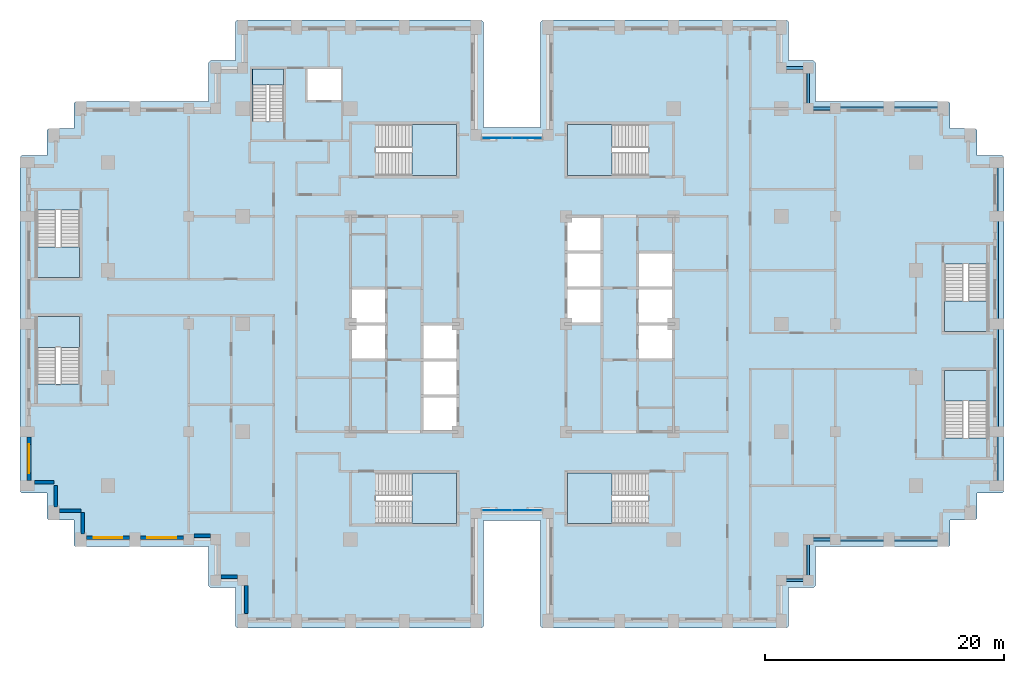
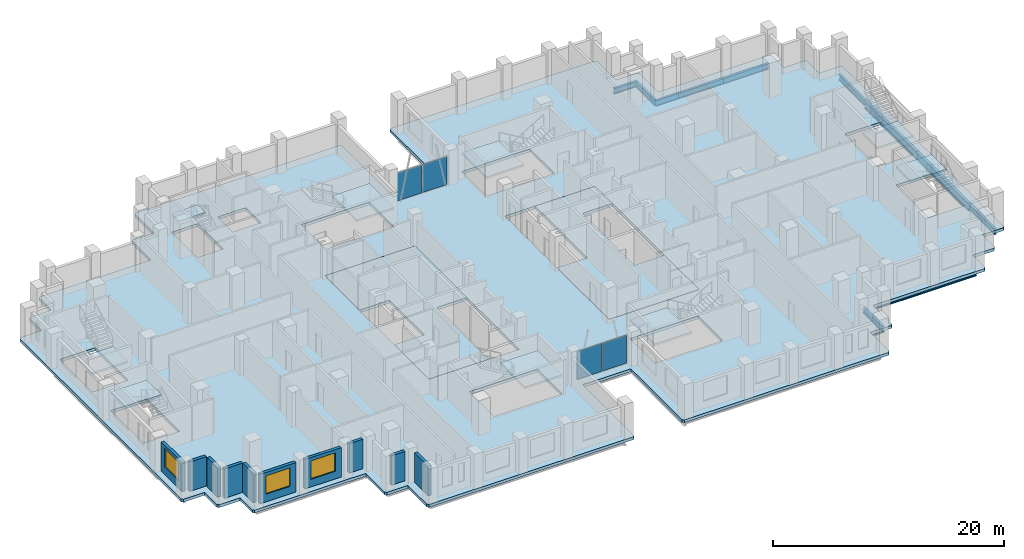
# One storey, part 5 of 16: 14 beams, 12 slabs, 10 walls, 4 plates, 3 windows, 3 openings, 11 elements without a shape of their own.
"""IFC4 building model written with IfcOpenShell, lengths in metres."""

from ifc_helpers import new_model, si_unit, direction, frame, frame_2d, origin, origin_2d, place, context, subcontext, project, spatial, polyline, rectangle, i_section, outline, extrude, material, layer, layer_set, material_profile, profile_set, type_object, element, fill, aggregate, save


model = new_model("IFC4")

# Units and contexts
model_context = context("Model", 3, precision=1e-05, world=origin(), true_north=direction((0.0, 1.0)))
body_context = subcontext(model_context, "Body", "Model", "MODEL_VIEW")
ifc_project = project(units=[si_unit("LENGTHUNIT", "METRE"), si_unit("AREAUNIT", "SQUARE_METRE"), si_unit("VOLUMEUNIT", "CUBIC_METRE"), si_unit("PLANEANGLEUNIT", "RADIAN"), si_unit("MASSUNIT", "GRAM", prefix="KILO")], contexts=[model_context])

# Site, building, storey
site_placement = place(None, origin())
site = spatial("IfcSite", under=ifc_project, at=site_placement, CompositionType="ELEMENT")
building_placement = place(site_placement, origin())
building = spatial("IfcBuilding", under=site, at=building_placement, Name="Corbelhall Arena Tower", CompositionType="ELEMENT")
storey_placement = place(building_placement, frame((0.0, 0.0, 112.0)))
storey = spatial("IfcBuildingStorey", under=building, at=storey_placement, Name="L20", CompositionType="ELEMENT", Elevation=112.0)

# Beams
ifc_material_1 = material(Name="Steel ASTM A992 Gr50", Category="steel")
ifc_material_profile_1 = material_profile(ifc_material_1, i_section(OverallWidth=0.23046875, OverallDepth=0.6171875, WebThickness=0.01318359375, FlangeThickness=0.022216796875, at=origin_2d()))
ifc_profile_set_1 = profile_set([ifc_material_profile_1], Name="Steel ASTM A992 Gr50")
beam_type_1 = type_object("IfcBeamType", Name="ST-SPANDREL-W24x94", PredefinedType="SPANDREL", material=ifc_profile_set_1)
for number, where, z_axis, x_axis, name in (
    (1, (40.5, 13.5, -0.608642578125), (0.0, -1.0, 0.0), (1.0, 0.0, 0.0), "Beam SP 10"),
    (2, (40.5, -9.0, -0.608642578125), (0.0, -1.0, 0.0), (1.0, 0.0, 0.0), "Beam SP 11"),
    (3, (31.5, 18.0, -0.608642578125), (1.0, 0.0, 0.0), (0.0, 1.0, 0.0), "Beam SP 12"),
    (4, (31.5, -18.0, -0.608642578125), (-1.0, 0.0, 0.0), (0.0, -1.0, 0.0), "Beam SP 13"),
    (5, (36.0, -18.0, -0.608642578125), (-1.0, 0.0, 0.0), (0.0, -1.0, 0.0), "Beam SP 14"),
    (6, (27.0, 18.0, -0.608642578125), (1.0, 0.0, 0.0), (0.0, 1.0, 0.0), "Beam SP 15"),
):
    element("IfcBeam", number, at=place(storey_placement, frame(where, z_axis=z_axis, x_axis=x_axis)), inside=storey, type_object=beam_type_1, Name=name, PredefinedType="SPANDREL", context=body_context, shape_type="SweptSolid", body=[
        extrude(i_section(OverallWidth=0.23046875, OverallDepth=0.6171875, WebThickness=0.01318359375, FlangeThickness=0.022216796875, at=origin_2d()), origin(), (0.0, 0.0, 1.0), 4.5),
    ])
for number, where, z_axis, x_axis, name in (
    (7, (27.0, -18.0, -0.608642578125), (-1.0, 0.0, 0.0), (0.0, -1.0, 0.0), "Beam SP 16"),
    (8, (22.5, 21.39990234375, -0.608642578125), (1.0, 0.0, 0.0), (0.0, 1.0, 0.0), "Beam SP 43"),
):
    element("IfcBeam", number, at=place(storey_placement, frame(where, z_axis=z_axis, x_axis=x_axis)), inside=storey, type_object=beam_type_1, Name=name, PredefinedType="SPANDREL", context=body_context, shape_type="SweptSolid", body=[
        extrude(i_section(OverallWidth=0.23046875, OverallDepth=0.6171875, WebThickness=0.01318359375, FlangeThickness=0.022216796875, at=origin_2d()), origin(), (0.0, 0.0, 1.0), 2.25),
    ])
beam_1_placement = place(storey_placement, frame((24.75, 21.39990234375, -0.608642578125), z_axis=(0.0, -1.0, 0.0), x_axis=(1.0, 0.0, 0.0)))
element("IfcBeam", 9, at=beam_1_placement, inside=storey, type_object=beam_type_1, Name="Beam SP 44", PredefinedType="SPANDREL", context=body_context, shape_type="SweptSolid", body=[
    extrude(i_section(OverallWidth=0.23046875, OverallDepth=0.6171875, WebThickness=0.01318359375, FlangeThickness=0.022216796875, at=origin_2d()), origin(), (0.0, 0.0, 1.0), 3.39990234375),
])
for number, where, z_axis, x_axis, name in (
    (10, (24.75, 18.0, -0.608642578125), (1.0, 0.0, 0.0), (0.0, 1.0, 0.0), "Beam SP 45"),
    (11, (24.75, -21.39990234375, -0.608642578125), (-1.0, 0.0, 0.0), (0.0, -1.0, 0.0), "Beam SP 50"),
):
    element("IfcBeam", number, at=place(storey_placement, frame(where, z_axis=z_axis, x_axis=x_axis)), inside=storey, type_object=beam_type_1, Name=name, PredefinedType="SPANDREL", context=body_context, shape_type="SweptSolid", body=[
        extrude(i_section(OverallWidth=0.23046875, OverallDepth=0.6171875, WebThickness=0.01318359375, FlangeThickness=0.022216796875, at=origin_2d()), origin(), (0.0, 0.0, 1.0), 2.25),
    ])
beam_2_placement = place(storey_placement, frame((24.75, -18.0, -0.608642578125), z_axis=(0.0, -1.0, 0.0), x_axis=(1.0, 0.0, 0.0)))
element("IfcBeam", 12, at=beam_2_placement, inside=storey, type_object=beam_type_1, Name="Beam SP 51", PredefinedType="SPANDREL", context=body_context, shape_type="SweptSolid", body=[
    extrude(i_section(OverallWidth=0.23046875, OverallDepth=0.6171875, WebThickness=0.01318359375, FlangeThickness=0.022216796875, at=origin_2d()), origin(), (0.0, 0.0, 1.0), 3.39990234375),
])
ifc_material_profile_2 = material_profile(ifc_material_1, i_section(OverallWidth=0.2919921875, OverallDepth=0.845703125, WebThickness=0.015380859375, FlangeThickness=0.0244140625, at=origin_2d()))
ifc_profile_set_2 = profile_set([ifc_material_profile_2], Name="Steel ASTM A992 Gr50")
beam_type_2 = type_object("IfcBeamType", Name="ST-SPANDREL-W33x141", PredefinedType="SPANDREL", material=ifc_profile_set_2)
for number, where, z_axis, x_axis, name in (
    (13, (40.5, 0.0, -0.722900390625), (0.0, -1.0, 0.0), (1.0, 0.0, 0.0), "Beam SP 8"),
    (14, (40.5, 9.0, -0.722900390625), (0.0, -1.0, 0.0), (1.0, 0.0, 0.0), "Beam SP 9"),
):
    element("IfcBeam", number, at=place(storey_placement, frame(where, z_axis=z_axis, x_axis=x_axis)), inside=storey, type_object=beam_type_2, Name=name, PredefinedType="SPANDREL", context=body_context, shape_type="SweptSolid", body=[
        extrude(i_section(OverallWidth=0.2919921875, OverallDepth=0.845703125, WebThickness=0.015380859375, FlangeThickness=0.0244140625, at=origin_2d()), origin(), (0.0, 0.0, 1.0), 9.0),
    ])

# Curtain wall, plates
ifc_material_2 = material(Name="Aluminium black anodised", Category="aluminium")
ifc_layer_1 = layer(ifc_material_2, 0.199951171875)
ifc_layer_set_1 = layer_set([ifc_layer_1], Name="EV-CW1 Slot back wall")
curtain_wall_type = type_object("IfcCurtainWallType", Name="EV-CW1 Slot back wall", PredefinedType="NOTDEFINED", material=ifc_layer_set_1)
curtain_wall_1_placement = place(storey_placement, origin())
curtain_wall_1 = element("IfcCurtainWall", 15, at=curtain_wall_1_placement, inside=storey, type_object=curtain_wall_type, Name="Curtain wall CW1", PredefinedType="NOTDEFINED")
ifc_material_3 = material(Name="Glass dark tinted laminated", Category="glass")
ifc_layer_2 = layer(ifc_material_3, 0.028076171875)
ifc_layer_set_2 = layer_set([ifc_layer_2], Name="EV-CW1-PANEL")
plate_type = type_object("IfcPlateType", Name="EV-CW1-PANEL", PredefinedType="CURTAIN_PANEL", material=ifc_layer_set_2)
plate_1_placement = place(storey_placement, frame((-1.25634765625, -15.550048828125, 0.0751953125), z_axis=(0.0, 0.0, 1.0), x_axis=(1.0, 0.0, 0.0)))
plate_1 = element("IfcPlate", 16, at=plate_1_placement, type_object=plate_type, Name="CW1 panel 1.1", PredefinedType="CURTAIN_PANEL", context=body_context, shape_type="SweptSolid", body=[
    extrude(rectangle(XDim=2.4375, YDim=0.028076171875, at=origin_2d()), origin(), (0.0, 0.0, 1.0), 2.949951171875),
])
plate_2_placement = place(storey_placement, frame((1.25634765625, -15.550048828125, 0.0751953125), z_axis=(0.0, 0.0, 1.0), x_axis=(1.0, 0.0, 0.0)))
plate_2 = element("IfcPlate", 17, at=plate_2_placement, type_object=plate_type, Name="CW1 panel 2.1", PredefinedType="CURTAIN_PANEL", context=body_context, shape_type="SweptSolid", body=[
    extrude(rectangle(XDim=2.4375, YDim=0.028076171875, at=origin_2d()), origin(), (0.0, 0.0, 1.0), 2.949951171875),
])
aggregate(curtain_wall_1, [plate_1, plate_2])

curtain_wall_2_placement = place(storey_placement, origin())
curtain_wall_2 = element("IfcCurtainWall", 18, at=curtain_wall_2_placement, inside=storey, type_object=curtain_wall_type, Name="Curtain wall CW1", PredefinedType="NOTDEFINED")
plate_3_placement = place(storey_placement, frame((1.25634765625, 15.550048828125, 0.0751953125), z_axis=(0.0, 0.0, 1.0), x_axis=(-1.0, 0.0, 0.0)))
plate_3 = element("IfcPlate", 19, at=plate_3_placement, type_object=plate_type, Name="CW1 panel 1.1", PredefinedType="CURTAIN_PANEL", context=body_context, shape_type="SweptSolid", body=[
    extrude(rectangle(XDim=2.4375, YDim=0.028076171875, at=origin_2d()), origin(), (0.0, 0.0, 1.0), 2.949951171875),
])
plate_4_placement = place(storey_placement, frame((-1.25634765625, 15.550048828125, 0.0751953125), z_axis=(0.0, 0.0, 1.0), x_axis=(-1.0, 0.0, 0.0)))
plate_4 = element("IfcPlate", 20, at=plate_4_placement, type_object=plate_type, Name="CW1 panel 2.1", PredefinedType="CURTAIN_PANEL", context=body_context, shape_type="SweptSolid", body=[
    extrude(rectangle(XDim=2.4375, YDim=0.028076171875, at=origin_2d()), origin(), (0.0, 0.0, 1.0), 2.949951171875),
])
aggregate(curtain_wall_2, [plate_3, plate_4])

# Slabs
ifc_material_4 = material(Name="Concrete C40/50", Category="concrete")
ifc_layer_3 = layer(ifc_material_4, 0.300048828125)
ifc_layer_set_3 = layer_set([ifc_layer_3], Name="IN-SL-CORE")
slab_type_1 = type_object("IfcSlabType", Name="IN-SL-CORE", PredefinedType="FLOOR", material=ifc_layer_set_3)
slab_1_placement = place(storey_placement, frame((0.0, 0.0, -0.300048828125)))
element("IfcSlab", 21, at=slab_1_placement, inside=storey, type_object=slab_type_1, Name="Core floor W", PredefinedType="FLOOR", context=body_context, shape_type="SweptSolid", body=[
    extrude(outline(polyline([(-7.5, 0.0), (-4.5, 0.0), (-4.5, 9.0), (-13.5, 9.0), (-13.5, 3.0), (-10.5, 3.0), (-10.5, 0.0), (-10.5, -3.0), (-13.5, -3.0), (-13.5, -9.0), (-7.5, -9.0), (-7.5, -6.0), (-7.5, -3.0), (-7.5, 0.0)])), origin(), (0.0, 0.0, 1.0), 0.300048828125),
])
slab_2_placement = place(storey_placement, frame((0.0, 0.0, -0.300048828125)))
element("IfcSlab", 22, at=slab_2_placement, inside=storey, type_object=slab_type_1, Name="Core floor E", PredefinedType="FLOOR", context=body_context, shape_type="SweptSolid", body=[
    extrude(outline(polyline([(7.5, 0.0), (4.5, 0.0), (4.5, -9.0), (13.5, -9.0), (13.5, -3.0), (10.5, -3.0), (10.5, 0.0), (10.5, 3.0), (10.5, 6.0), (13.5, 6.0), (13.5, 9.0), (7.5, 9.0), (7.5, 6.0), (7.5, 3.0), (7.5, 0.0)])), origin(), (0.0, 0.0, 1.0), 0.300048828125),
])

# Stair, slab
stair_type = type_object("IfcStairType", Name="IN-ST-TOWER", PredefinedType="HALF_TURN_STAIR", material=ifc_material_4)
stair_1_placement = place(storey_placement, origin())
stair_1 = element("IfcStair", 23, at=stair_1_placement, inside=storey, type_object=stair_type, Name="L20 Exit stair ST1", PredefinedType="HALF_TURN_STAIR")
ifc_layer_4 = layer(ifc_material_4, 0.199951171875)
ifc_layer_set_4 = layer_set([ifc_layer_4], Name="IN-SL-LANDING")
slab_type_2 = type_object("IfcSlabType", Name="IN-SL-LANDING", PredefinedType="LANDING", material=ifc_layer_set_4)
slab_3_placement = place(storey_placement, frame((0.0, 0.0, 1.800048828125)))
slab_3 = element("IfcSlab", 24, at=slab_3_placement, type_object=slab_type_2, Name="ST1 landing 1", PredefinedType="LANDING", context=body_context, shape_type="SweptSolid", body=[
    extrude(outline(polyline([(-8.344970703125, 12.425048828125), (-4.625, 12.425048828125), (-4.625, 16.675048828125), (-8.344970703125, 16.675048828125), (-8.344970703125, 12.425048828125)])), origin(), (0.0, 0.0, 1.0), 0.199951171875),
])
aggregate(stair_1, [slab_3])

stair_2_placement = place(storey_placement, origin())
stair_2 = element("IfcStair", 25, at=stair_2_placement, inside=storey, type_object=stair_type, Name="L20 Exit stair ST2", PredefinedType="HALF_TURN_STAIR")
slab_4_placement = place(storey_placement, frame((0.0, 0.0, 1.800048828125)))
slab_4 = element("IfcSlab", 26, at=slab_4_placement, type_object=slab_type_2, Name="ST2 landing 1", PredefinedType="LANDING", context=body_context, shape_type="SweptSolid", body=[
    extrude(outline(polyline([(-8.344970703125, -16.675048828125), (-4.625, -16.675048828125), (-4.625, -12.425048828125), (-8.344970703125, -12.425048828125), (-8.344970703125, -16.675048828125)])), origin(), (0.0, 0.0, 1.0), 0.199951171875),
])
aggregate(stair_2, [slab_4])

stair_3_placement = place(storey_placement, origin())
stair_3 = element("IfcStair", 27, at=stair_3_placement, inside=storey, type_object=stair_type, Name="L20 Exit stair ST3", PredefinedType="HALF_TURN_STAIR")
slab_5_placement = place(storey_placement, frame((0.0, 0.0, 1.800048828125)))
slab_5 = element("IfcSlab", 28, at=slab_5_placement, type_object=slab_type_2, Name="ST3 landing 1", PredefinedType="LANDING", context=body_context, shape_type="SweptSolid", body=[
    extrude(outline(polyline([(8.344970703125, 16.675048828125), (4.625, 16.675048828125), (4.625, 12.425048828125), (8.344970703125, 12.425048828125), (8.344970703125, 16.675048828125)])), origin(), (0.0, 0.0, 1.0), 0.199951171875),
])
aggregate(stair_3, [slab_5])

stair_4_placement = place(storey_placement, origin())
stair_4 = element("IfcStair", 29, at=stair_4_placement, inside=storey, type_object=stair_type, Name="L20 Exit stair ST4", PredefinedType="HALF_TURN_STAIR")
slab_6_placement = place(storey_placement, frame((0.0, 0.0, 1.800048828125)))
slab_6 = element("IfcSlab", 30, at=slab_6_placement, type_object=slab_type_2, Name="ST4 landing 1", PredefinedType="LANDING", context=body_context, shape_type="SweptSolid", body=[
    extrude(outline(polyline([(8.344970703125, -12.425048828125), (4.625, -12.425048828125), (4.625, -16.675048828125), (8.344970703125, -16.675048828125), (8.344970703125, -12.425048828125)])), origin(), (0.0, 0.0, 1.0), 0.199951171875),
])
aggregate(stair_4, [slab_6])

stair_5_placement = place(storey_placement, origin())
stair_5 = element("IfcStair", 31, at=stair_5_placement, inside=storey, type_object=stair_type, Name="L20 Exit stair SC1", PredefinedType="HALF_TURN_STAIR")
slab_7_placement = place(storey_placement, frame((0.0, 0.0, 1.800048828125)))
slab_7 = element("IfcSlab", 32, at=slab_7_placement, type_object=slab_type_2, Name="SC1 landing 1", PredefinedType="LANDING", context=body_context, shape_type="SweptSolid", body=[
    extrude(outline(polyline([(-39.699951171875, 6.445068359375), (-39.699951171875, 3.875), (-36.125, 3.875), (-36.125, 6.445068359375), (-39.699951171875, 6.445068359375)])), origin(), (0.0, 0.0, 1.0), 0.199951171875),
])
aggregate(stair_5, [slab_7])

stair_6_placement = place(storey_placement, origin())
stair_6 = element("IfcStair", 33, at=stair_6_placement, inside=storey, type_object=stair_type, Name="L20 Exit stair SC2", PredefinedType="HALF_TURN_STAIR")
slab_8_placement = place(storey_placement, frame((0.0, 0.0, 1.800048828125)))
slab_8 = element("IfcSlab", 34, at=slab_8_placement, type_object=slab_type_2, Name="SC2 landing 1", PredefinedType="LANDING", context=body_context, shape_type="SweptSolid", body=[
    extrude(outline(polyline([(-36.125, -1.945068359375), (-36.125, 0.625), (-39.699951171875, 0.625), (-39.699951171875, -1.945068359375), (-36.125, -1.945068359375)])), origin(), (0.0, 0.0, 1.0), 0.199951171875),
])
aggregate(stair_6, [slab_8])

stair_7_placement = place(storey_placement, origin())
stair_7 = element("IfcStair", 35, at=stair_7_placement, inside=storey, type_object=stair_type, Name="L20 Exit stair SD1", PredefinedType="HALF_TURN_STAIR")
slab_9_placement = place(storey_placement, frame((0.0, 0.0, 1.800048828125)))
slab_9 = element("IfcSlab", 36, at=slab_9_placement, type_object=slab_type_2, Name="SD1 landing 1", PredefinedType="LANDING", context=body_context, shape_type="SweptSolid", body=[
    extrude(outline(polyline([(39.699951171875, -6.445068359375), (39.699951171875, -3.875), (36.125, -3.875), (36.125, -6.445068359375), (39.699951171875, -6.445068359375)])), origin(), (0.0, 0.0, 1.0), 0.199951171875),
])
aggregate(stair_7, [slab_9])

stair_8_placement = place(storey_placement, origin())
stair_8 = element("IfcStair", 37, at=stair_8_placement, inside=storey, type_object=stair_type, Name="L20 Exit stair SD2", PredefinedType="HALF_TURN_STAIR")
slab_10_placement = place(storey_placement, frame((0.0, 0.0, 1.800048828125)))
slab_10 = element("IfcSlab", 38, at=slab_10_placement, type_object=slab_type_2, Name="SD2 landing 1", PredefinedType="LANDING", context=body_context, shape_type="SweptSolid", body=[
    extrude(outline(polyline([(36.125, 1.945068359375), (36.125, -0.625), (39.699951171875, -0.625), (39.699951171875, 1.945068359375), (36.125, 1.945068359375)])), origin(), (0.0, 0.0, 1.0), 0.199951171875),
])
aggregate(stair_8, [slab_10])

stair_9_placement = place(storey_placement, origin())
stair_9 = element("IfcStair", 39, at=stair_9_placement, inside=storey, type_object=stair_type, Name="L20 Exit stair ST5", PredefinedType="HALF_TURN_STAIR")
slab_11_placement = place(storey_placement, frame((0.0, 0.0, 1.800048828125)))
slab_11 = element("IfcSlab", 40, at=slab_11_placement, type_object=slab_type_2, Name="ST5 landing 1", PredefinedType="LANDING", context=body_context, shape_type="SweptSolid", body=[
    extrude(outline(polyline([(-19.094970703125, 19.97998046875), (-19.094970703125, 21.300048828125), (-21.695068359375, 21.300048828125), (-21.695068359375, 19.97998046875), (-19.094970703125, 19.97998046875)])), origin(), (0.0, 0.0, 1.0), 0.199951171875),
])
aggregate(stair_9, [slab_11])

# Slab
ifc_layer_5 = layer(ifc_material_4, 0.300048828125)
ifc_layer_set_5 = layer_set([ifc_layer_5], Name="ST-SLAB-FLOOR-300")
slab_type_3 = type_object("IfcSlabType", Name="ST-SLAB-FLOOR-300", PredefinedType="FLOOR", material=ifc_layer_set_5)
slab_12_placement = place(storey_placement, frame((0.0, 0.0, -0.300048828125)))
element("IfcSlab", 41, at=slab_12_placement, inside=storey, type_object=slab_type_3, Name="Floor slab L20 1", PredefinedType="FLOOR", context=body_context, shape_type="SweptSolid", body=[
    extrude(outline(polyline([(25.35009765625, 18.60009765625), (25.35009765625, 21.85009765625), (25.199951171875, 22.0), (23.10009765625, 22.0), (23.10009765625, 25.25), (22.949951171875, 25.39990234375), (2.550048828125, 25.39990234375), (2.39990234375, 25.25), (2.39990234375, 16.39990234375), (-2.39990234375, 16.39990234375), (-2.39990234375, 25.25), (-2.550048828125, 25.39990234375), (-22.949951171875, 25.39990234375), (-23.10009765625, 25.25), (-23.10009765625, 22.0), (-25.199951171875, 22.0), (-25.35009765625, 21.85009765625), (-25.35009765625, 18.60009765625), (-36.449951171875, 18.60009765625), (-36.60009765625, 18.449951171875), (-36.60009765625, 16.35009765625), (-38.699951171875, 16.35009765625), (-38.85009765625, 16.199951171875), (-38.85009765625, 14.10009765625), (-40.949951171875, 14.10009765625), (-41.10009765625, 13.949951171875), (-41.10009765625, -13.949951171875), (-40.949951171875, -14.10009765625), (-38.85009765625, -14.10009765625), (-38.85009765625, -16.199951171875), (-38.699951171875, -16.35009765625), (-36.60009765625, -16.35009765625), (-36.60009765625, -18.449951171875), (-36.449951171875, -18.60009765625), (-25.35009765625, -18.60009765625), (-25.35009765625, -21.85009765625), (-25.199951171875, -22.0), (-23.10009765625, -22.0), (-23.10009765625, -25.25), (-22.949951171875, -25.39990234375), (-2.550048828125, -25.39990234375), (-2.39990234375, -25.25), (-2.39990234375, -16.39990234375), (2.39990234375, -16.39990234375), (2.39990234375, -25.25), (2.550048828125, -25.39990234375), (22.949951171875, -25.39990234375), (23.10009765625, -25.25), (23.10009765625, -22.0), (25.199951171875, -22.0), (25.35009765625, -21.85009765625), (25.35009765625, -18.60009765625), (36.449951171875, -18.60009765625), (36.60009765625, -18.449951171875), (36.60009765625, -16.35009765625), (38.699951171875, -16.35009765625), (38.85009765625, -16.199951171875), (38.85009765625, -14.10009765625), (40.949951171875, -14.10009765625), (41.10009765625, -13.949951171875), (41.10009765625, 13.949951171875), (40.949951171875, 14.10009765625), (38.85009765625, 14.10009765625), (38.85009765625, 16.199951171875), (38.699951171875, 16.35009765625), (36.60009765625, 16.35009765625), (36.60009765625, 18.449951171875), (36.449951171875, 18.60009765625), (25.35009765625, 18.60009765625)]), holes=[polyline([(-13.5, 9.0), (-13.5, -9.0), (-4.5, -9.0), (-4.5, 9.0), (-13.5, 9.0)]), polyline([(4.5, 9.0), (4.5, -9.0), (13.5, -9.0), (13.5, 9.0), (4.5, 9.0)]), polyline([(-4.625, 16.675048828125), (-11.422119140625, 16.675048828125), (-11.422119140625, 12.425048828125), (-4.625, 12.425048828125), (-4.625, 16.675048828125)]), polyline([(-4.625, -16.675048828125), (-4.625, -12.425048828125), (-11.422119140625, -12.425048828125), (-11.422119140625, -16.675048828125), (-4.625, -16.675048828125)]), polyline([(11.422119140625, 16.675048828125), (4.625, 16.675048828125), (4.625, 12.425048828125), (11.422119140625, 12.425048828125), (11.422119140625, 16.675048828125)]), polyline([(11.422119140625, -16.675048828125), (11.422119140625, -12.425048828125), (4.625, -12.425048828125), (4.625, -16.675048828125), (11.422119140625, -16.675048828125)]), polyline([(-36.125, 3.875), (-36.125, 9.52197265625), (-39.699951171875, 9.52197265625), (-39.699951171875, 3.875), (-36.125, 3.875)]), polyline([(-36.125, 0.625), (-39.699951171875, 0.625), (-39.699951171875, -5.02197265625), (-36.125, -5.02197265625), (-36.125, 0.625)]), polyline([(39.699951171875, -9.52197265625), (39.699951171875, -3.875), (36.125, -3.875), (36.125, -9.52197265625), (39.699951171875, -9.52197265625)]), polyline([(39.699951171875, 5.02197265625), (36.125, 5.02197265625), (36.125, -0.625), (39.699951171875, -0.625), (39.699951171875, 5.02197265625)]), polyline([(-21.695068359375, 21.300048828125), (-21.695068359375, 16.903076171875), (-19.094970703125, 16.903076171875), (-19.094970703125, 21.300048828125), (-21.695068359375, 21.300048828125)]), polyline([(-14.300048828125, 21.300048828125), (-17.10009765625, 21.300048828125), (-17.10009765625, 18.699951171875), (-14.300048828125, 18.699951171875), (-14.300048828125, 21.300048828125)])]), origin(), (0.0, 0.0, 1.0), 0.300048828125),
])

# Walls
ifc_material_5 = material(Name="Precast concrete C40/50 with granite facing", Category="masonry")
ifc_layer_6 = layer(ifc_material_5, 0.300048828125)
ifc_layer_set_6 = layer_set([ifc_layer_6], Name="EV-IW1 Infill panel 300")
wall_type = type_object("IfcWallType", Name="EV-IW1 Infill panel 300", PredefinedType="SOLIDWALL", material=ifc_layer_set_6)
wall_1_placement = place(storey_placement, frame((-39.89990234375, -13.199951171875, 0.0), z_axis=(0.0, 0.0, 1.0), x_axis=(1.0, 0.0, 0.0)))
element("IfcWall", 42, at=wall_1_placement, inside=storey, type_object=wall_type, Name="Infill panel IW1", PredefinedType="SOLIDWALL", context=body_context, shape_type="SweptSolid", body=[
    extrude(rectangle(XDim=1.64990234375, YDim=0.300048828125, at=frame_2d((0.824951171875, 0.0))), origin(), (0.0, 0.0, 1.0), 3.10009765625),
])
for number, where, z_axis, x_axis, name in (
    (43, (-38.10009765625, -15.300048828125, 0.0), (0.0, 0.0, 1.0), (0.0, 1.0, 0.0), "Infill panel IW1"),
    (44, (-37.800048828125, -15.60009765625, 0.0), (0.0, 0.0, 1.0), (1.0, 0.0, 0.0), "Infill panel IW1"),
    (45, (-35.85009765625, -17.550048828125, 0.0), (0.0, 0.0, 1.0), (0.0, 1.0, 0.0), "Infill panel IW1"),
):
    element("IfcWall", number, at=place(storey_placement, frame(where, z_axis=z_axis, x_axis=x_axis)), inside=storey, type_object=wall_type, Name=name, PredefinedType="SOLIDWALL", context=body_context, shape_type="SweptSolid", body=[
        extrude(rectangle(XDim=1.800048828125, YDim=0.300048828125, at=frame_2d((0.89990234375, 0.0))), origin(), (0.0, 0.0, 1.0), 3.10009765625),
    ])

# Wall, opening, window
wall_2_placement = place(storey_placement, frame((-40.35009765625, -9.449951171875, 0.0), z_axis=(0.0, 0.0, 1.0), x_axis=(0.0, -1.0, 0.0)))
wall_2 = element("IfcWall", 46, at=wall_2_placement, inside=storey, type_object=wall_type, Name="Infill panel IW1", PredefinedType="SOLIDWALL", context=body_context, shape_type="SweptSolid", body=[
    extrude(rectangle(XDim=3.60009765625, YDim=0.300048828125, at=frame_2d((1.800048828125, 0.0))), origin(), (0.0, 0.0, 1.0), 3.10009765625),
])
opening_1_placement = place(wall_2_placement, frame((0.60009765625, 0.0, 0.800048828125)))
opening_1 = element("IfcOpeningElement", 47, at=opening_1_placement, cuts=wall_2, Name="Opening WN1", PredefinedType="OPENING", context=body_context, shape_type="SweptSolid", body=[
    extrude(rectangle(XDim=2.39990234375, YDim=1.949951171875, at=frame_2d((1.199951171875, 0.97509765625))), frame((0.0, 0.14990234375, 0.0), z_axis=(0.0, -1.0, 0.0), x_axis=(1.0, 0.0, 0.0)), (0.0, 0.0, 1.0), 0.300048828125),
])
window_type = type_object("IfcWindowType", Name="EV-WN1 Office window", PartitioningType="SINGLE_PANEL", PredefinedType="WINDOW", material=ifc_material_2)
window_1_placement = place(opening_1_placement, origin())
window_1 = element("IfcWindow", 48, at=window_1_placement, inside=storey, type_object=window_type, Name="Window WN1", OverallHeight=1.949951171875, OverallWidth=2.39990234375, PartitioningType="SINGLE_PANEL", PredefinedType="WINDOW", context=body_context, shape_type="SweptSolid", body=[
    extrude(rectangle(XDim=2.39990234375, YDim=1.949951171875, at=frame_2d((1.199951171875, 0.97509765625))), frame((0.0, 0.030029296875, 0.0), z_axis=(0.0, -1.0, 0.0), x_axis=(1.0, 0.0, 0.0)), (0.0, 0.0, 1.0), 0.06005859375),
])
fill(opening_1, window_1)

wall_3_placement = place(storey_placement, frame((-35.550048828125, -17.85009765625, 0.0), z_axis=(0.0, 0.0, 1.0), x_axis=(1.0, 0.0, 0.0)))
wall_3 = element("IfcWall", 49, at=wall_3_placement, inside=storey, type_object=wall_type, Name="Infill panel IW1", PredefinedType="SOLIDWALL", context=body_context, shape_type="SweptSolid", body=[
    extrude(rectangle(XDim=3.60009765625, YDim=0.300048828125, at=frame_2d((1.800048828125, 0.0))), origin(), (0.0, 0.0, 1.0), 3.10009765625),
])
opening_2_placement = place(wall_3_placement, frame((0.60009765625, 0.0, 0.800048828125)))
opening_2 = element("IfcOpeningElement", 50, at=opening_2_placement, cuts=wall_3, Name="Opening WN1", PredefinedType="OPENING", context=body_context, shape_type="SweptSolid", body=[
    extrude(rectangle(XDim=2.39990234375, YDim=1.949951171875, at=frame_2d((1.199951171875, 0.97509765625))), frame((0.0, 0.14990234375, 0.0), z_axis=(0.0, -1.0, 0.0), x_axis=(1.0, 0.0, 0.0)), (0.0, 0.0, 1.0), 0.300048828125),
])
window_2_placement = place(opening_2_placement, origin())
window_2 = element("IfcWindow", 51, at=window_2_placement, inside=storey, type_object=window_type, Name="Window WN1", OverallHeight=1.949951171875, OverallWidth=2.39990234375, PartitioningType="SINGLE_PANEL", PredefinedType="WINDOW", context=body_context, shape_type="SweptSolid", body=[
    extrude(rectangle(XDim=2.39990234375, YDim=1.949951171875, at=frame_2d((1.199951171875, 0.97509765625))), frame((0.0, 0.030029296875, 0.0), z_axis=(0.0, -1.0, 0.0), x_axis=(1.0, 0.0, 0.0)), (0.0, 0.0, 1.0), 0.06005859375),
])
fill(opening_2, window_2)

wall_4_placement = place(storey_placement, frame((-31.050048828125, -17.85009765625, 0.0), z_axis=(0.0, 0.0, 1.0), x_axis=(1.0, 0.0, 0.0)))
wall_4 = element("IfcWall", 52, at=wall_4_placement, inside=storey, type_object=wall_type, Name="Infill panel IW1", PredefinedType="SOLIDWALL", context=body_context, shape_type="SweptSolid", body=[
    extrude(rectangle(XDim=3.60009765625, YDim=0.300048828125, at=frame_2d((1.800048828125, 0.0))), origin(), (0.0, 0.0, 1.0), 3.10009765625),
])
opening_3_placement = place(wall_4_placement, frame((0.60009765625, 0.0, 0.800048828125)))
opening_3 = element("IfcOpeningElement", 53, at=opening_3_placement, cuts=wall_4, Name="Opening WN1", PredefinedType="OPENING", context=body_context, shape_type="SweptSolid", body=[
    extrude(rectangle(XDim=2.39990234375, YDim=1.949951171875, at=frame_2d((1.199951171875, 0.97509765625))), frame((0.0, 0.14990234375, 0.0), z_axis=(0.0, -1.0, 0.0), x_axis=(1.0, 0.0, 0.0)), (0.0, 0.0, 1.0), 0.300048828125),
])
window_3_placement = place(opening_3_placement, origin())
window_3 = element("IfcWindow", 54, at=window_3_placement, inside=storey, type_object=window_type, Name="Window WN1", OverallHeight=1.949951171875, OverallWidth=2.39990234375, PartitioningType="SINGLE_PANEL", PredefinedType="WINDOW", context=body_context, shape_type="SweptSolid", body=[
    extrude(rectangle(XDim=2.39990234375, YDim=1.949951171875, at=frame_2d((1.199951171875, 0.97509765625))), frame((0.0, 0.030029296875, 0.0), z_axis=(0.0, -1.0, 0.0), x_axis=(1.0, 0.0, 0.0)), (0.0, 0.0, 1.0), 0.06005859375),
])
fill(opening_3, window_3)

# Walls
for number, where, z_axis, x_axis, name in (
    (55, (-26.550048828125, -17.699951171875, 0.0), (0.0, 0.0, 1.0), (1.0, 0.0, 0.0), "Infill panel IW1"),
    (56, (-24.300048828125, -21.10009765625, 0.0), (0.0, 0.0, 1.0), (1.0, 0.0, 0.0), "Infill panel IW1"),
):
    element("IfcWall", number, at=place(storey_placement, frame(where, z_axis=z_axis, x_axis=x_axis)), inside=storey, type_object=wall_type, Name=name, PredefinedType="SOLIDWALL", context=body_context, shape_type="SweptSolid", body=[
        extrude(rectangle(XDim=1.35009765625, YDim=0.300048828125, at=frame_2d((0.675048828125, 0.0))), origin(), (0.0, 0.0, 1.0), 3.10009765625),
    ])
wall_5_placement = place(storey_placement, frame((-22.199951171875, -21.85009765625, 0.0), z_axis=(0.0, 0.0, 1.0), x_axis=(0.0, -1.0, 0.0)))
element("IfcWall", 57, at=wall_5_placement, inside=storey, type_object=wall_type, Name="Infill panel IW1", PredefinedType="SOLIDWALL", context=body_context, shape_type="SweptSolid", body=[
    extrude(rectangle(XDim=2.349853515625, YDim=0.300048828125, at=frame_2d((1.1748046875, 0.0))), origin(), (0.0, 0.0, 1.0), 3.10009765625),
])

save(model, "model.ifc")
